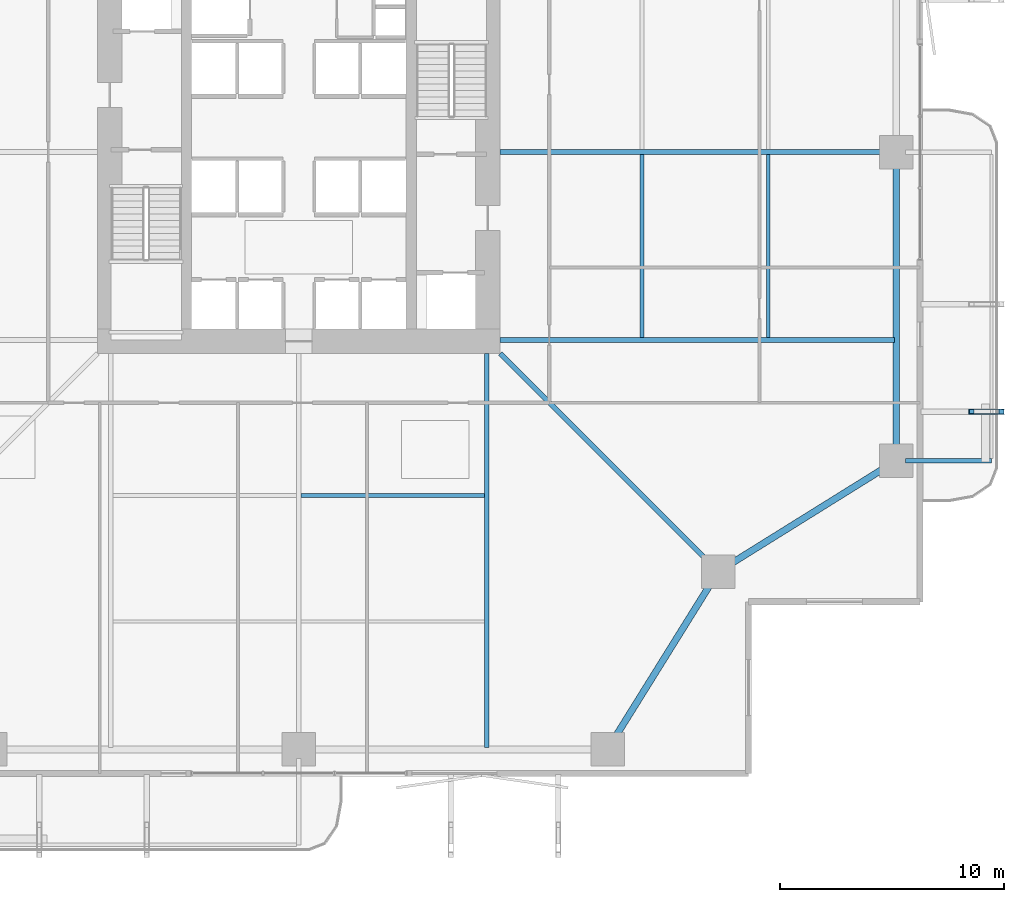
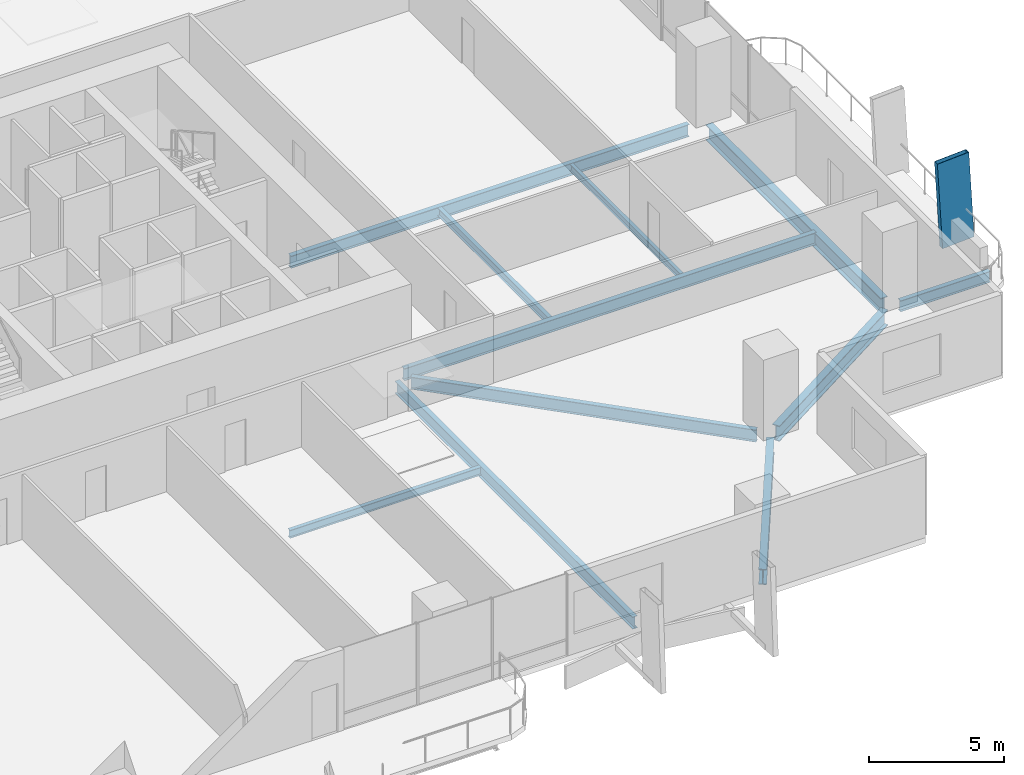
# One storey, part 7 of 23: 11 beams, 1 member.
"""IFC4 building model written with IfcOpenShell, lengths in metres."""

from ifc_helpers import new_model, si_unit, direction, frame, origin, origin_2d, place, context, subcontext, project, spatial, hollow_rectangle, i_section, extrude, material, material_profile, profile_set, type_object, element, save


model = new_model("IFC4")

# Units and contexts
model_context = context("Model", 3, precision=1e-05, world=origin(), true_north=direction((0.0, 1.0)))
body_context = subcontext(model_context, "Body", "Model", "MODEL_VIEW")
ifc_project = project(units=[si_unit("LENGTHUNIT", "METRE"), si_unit("AREAUNIT", "SQUARE_METRE"), si_unit("VOLUMEUNIT", "CUBIC_METRE"), si_unit("PLANEANGLEUNIT", "RADIAN"), si_unit("MASSUNIT", "GRAM", prefix="KILO")], contexts=[model_context])

# Site, building, storey
site_placement = place(None, origin())
site = spatial("IfcSite", under=ifc_project, at=site_placement, CompositionType="ELEMENT")
building_placement = place(site_placement, origin())
building = spatial("IfcBuilding", under=site, at=building_placement, Name="Belovzor Exchange Tower", CompositionType="ELEMENT")
storey_placement = place(building_placement, frame((0.0, 0.0, 41.699951171875)))
storey = spatial("IfcBuildingStorey", under=building, at=storey_placement, Name="L09", CompositionType="ELEMENT", Elevation=41.699951171875)

# Member
ifc_material_1 = material(Name="Extruded Architectural Terracotta on Steel S355 Carrier", Category="masonry")
ifc_material_profile_1 = material_profile(ifc_material_1, hollow_rectangle(XDim=0.219970703125, YDim=1.35009765625, WallThickness=0.013916015625, at=origin_2d()))
ifc_profile_set_1 = profile_set([ifc_material_profile_1], Name="Extruded Architectural Terracotta on Steel S355 Carrier")
member_type = type_object("IfcMemberType", Name="Base Arc Sweeping Terracotta Pylon Fin 1450", PredefinedType="USERDEFINED", material=ifc_profile_set_1)
member_placement = place(storey_placement, frame((59.64599609375, 17.199951171875, -0.25), z_axis=(-0.057619293609, 0.0, 0.998338628424), x_axis=(0.0, -1.0, 0.0)))
element("IfcMember", 1, at=member_placement, inside=storey, type_object=member_type, Name="FIN-TC145 Terracotta Facade Fin L09 E1", ObjectType="FIN", PredefinedType="USERDEFINED", context=body_context, shape_type="SweptSolid", body=[
    extrude(hollow_rectangle(XDim=0.219970703125, YDim=1.35009765625, WallThickness=0.013916015625, at=origin_2d()), origin(), (0.0, 0.0, 1.0), 3.90673828125),
])

# Beams
ifc_material_2 = material(Name="Steel S355", Category="steel")
ifc_material_profile_2 = material_profile(ifc_material_2, i_section(OverallWidth=0.199951171875, OverallDepth=0.5, WebThickness=0.01025390625, FlangeThickness=0.01611328125, at=origin_2d()))
ifc_profile_set_2 = profile_set([ifc_material_profile_2], Name="Steel S355")
beam_type_1 = type_object("IfcBeamType", Name="Planted Balcony Cantilever Beam IPE 500", PredefinedType="BEAM", material=ifc_profile_set_2)
beam_1_placement = place(storey_placement, frame((55.9130859375, 15.0, -0.5), z_axis=(1.0, 0.0, 0.0), x_axis=(0.0, 1.0, 0.0)))
element("IfcBeam", 2, at=beam_1_placement, inside=storey, type_object=beam_type_1, Name="BC-500 Planted Balcony Cantilever Beam IPE 500", PredefinedType="BEAM", context=body_context, shape_type="SweptSolid", body=[
    extrude(i_section(OverallWidth=0.199951171875, OverallDepth=0.5, WebThickness=0.01025390625, FlangeThickness=0.01611328125, at=origin_2d()), origin(), (0.0, 0.0, 1.0), 3.849853515625),
])
ifc_material_3 = material(Name="Steel S355", Category="steel")
ifc_material_profile_3 = material_profile(ifc_material_3, i_section(OverallWidth=0.169921875, OverallDepth=0.360107421875, WebThickness=0.008056640625, FlangeThickness=0.0126953125, at=origin_2d()))
ifc_profile_set_3 = profile_set([ifc_material_profile_3], Name="Steel S355")
beam_type_2 = type_object("IfcBeamType", Name="Secondary Infill Floor Joist IPE 360", PredefinedType="BEAM", material=ifc_profile_set_3)
beam_2_placement = place(storey_placement, frame((28.905029296875, 13.455078125, -0.429931640625), z_axis=(1.0, 0.0, 0.0), x_axis=(0.0, 1.0, 0.0)))
element("IfcBeam", 3, at=beam_2_placement, inside=storey, type_object=beam_type_2, Name="FJ-360 Secondary Infill Floor Joist IPE 360", PredefinedType="BEAM", context=body_context, shape_type="SweptSolid", body=[
    extrude(i_section(OverallWidth=0.169921875, OverallDepth=0.360107421875, WebThickness=0.008056640625, FlangeThickness=0.0126953125, at=origin_2d()), origin(), (0.0, 0.0, 1.0), 8.18994140625),
])
beam_3_placement = place(storey_placement, frame((44.14501953125, 20.5048828125, -0.429931640625), z_axis=(0.0, 1.0, 0.0), x_axis=(-1.0, 0.0, 0.0)))
element("IfcBeam", 4, at=beam_3_placement, inside=storey, type_object=beam_type_2, Name="FJ-360 Secondary Infill Floor Joist IPE 360", PredefinedType="BEAM", context=body_context, shape_type="SweptSolid", body=[
    extrude(i_section(OverallWidth=0.169921875, OverallDepth=0.360107421875, WebThickness=0.008056640625, FlangeThickness=0.0126953125, at=origin_2d()), origin(), (0.0, 0.0, 1.0), 8.190185546875),
])
ifc_material_4 = material(Name="Steel S355", Category="steel")
ifc_material_profile_4 = material_profile(ifc_material_4, i_section(OverallWidth=0.14990234375, OverallDepth=0.300048828125, WebThickness=0.007080078125, FlangeThickness=0.0107421875, at=origin_2d()))
ifc_profile_set_4 = profile_set([ifc_material_profile_4], Name="Steel S355")
beam_type_3 = type_object("IfcBeamType", Name="Secondary Trim Floor Joist IPE 300", PredefinedType="BEAM", material=ifc_profile_set_4)
beam_4_placement = place(storey_placement, frame((49.784912109375, 20.5048828125, -0.39990234375), z_axis=(0.0, 1.0, 0.0), x_axis=(-1.0, 0.0, 0.0)))
element("IfcBeam", 5, at=beam_4_placement, inside=storey, type_object=beam_type_3, Name="FJ-300 Secondary Trim Floor Joist IPE 300", PredefinedType="BEAM", context=body_context, shape_type="SweptSolid", body=[
    extrude(i_section(OverallWidth=0.14990234375, OverallDepth=0.300048828125, WebThickness=0.007080078125, FlangeThickness=0.0107421875, at=origin_2d()), origin(), (0.0, 0.0, 1.0), 8.190185546875),
])
ifc_material_5 = material(Name="Steel S355", Category="steel")
ifc_material_profile_5 = material_profile(ifc_material_5, i_section(OverallWidth=0.300048828125, OverallDepth=0.699951171875, WebThickness=0.01708984375, FlangeThickness=0.031982421875, at=origin_2d()))
ifc_profile_set_5 = profile_set([ifc_material_profile_5], Name="Steel S355")
beam_type_4 = type_object("IfcBeamType", Name="Zone 1 Primary Perimeter Girder HEB 700", PredefinedType="BEAM", material=ifc_profile_set_5)
for number, where, z_axis, x_axis, name in (
    (6, (42.818115234375, 2.449951171875, -0.599853515625), (0.528538629686, 0.848909251292, 0.0), (-0.848909251292, 0.528538629686, 0.0), "FG-Z1 Zone 1 Primary Perimeter Girder HEB 700"),
    (7, (47.89990234375, 10.26806640625, -0.599853515625), (0.848909251292, 0.528538629686, 0.0), (-0.528538629686, 0.848909251292, 0.0), "FG-Z1 Zone 1 Primary Perimeter Girder HEB 700"),
):
    element("IfcBeam", number, at=place(storey_placement, frame(where, z_axis=z_axis, x_axis=x_axis)), inside=storey, type_object=beam_type_4, Name=name, PredefinedType="BEAM", context=body_context, shape_type="SweptSolid", body=[
        extrude(i_section(OverallWidth=0.300048828125, OverallDepth=0.699951171875, WebThickness=0.01708984375, FlangeThickness=0.031982421875, at=origin_2d()), origin(), (0.0, 0.0, 1.0), 8.540283203125),
    ])
beam_5_placement = place(storey_placement, frame((55.5, 15.412109375, -0.599853515625), z_axis=(0.0, 1.0, 0.0), x_axis=(-1.0, 0.0, 0.0)))
element("IfcBeam", 8, at=beam_5_placement, inside=storey, type_object=beam_type_4, Name="FG-Z1 Zone 1 Primary Perimeter Girder HEB 700", PredefinedType="BEAM", context=body_context, shape_type="SweptSolid", body=[
    extrude(i_section(OverallWidth=0.300048828125, OverallDepth=0.699951171875, WebThickness=0.01708984375, FlangeThickness=0.031982421875, at=origin_2d()), origin(), (0.0, 0.0, 1.0), 12.974853515625),
])
ifc_material_6 = material(Name="Steel S355", Category="steel")
ifc_material_profile_6 = material_profile(ifc_material_6, i_section(OverallWidth=0.2099609375, OverallDepth=0.550048828125, WebThickness=0.010986328125, FlangeThickness=0.01708984375, at=origin_2d()))
ifc_profile_set_6 = profile_set([ifc_material_profile_6], Name="Steel S355")
beam_type_5 = type_object("IfcBeamType", Name="Zone 1 Radial Composite Floor Beam IPE 550", PredefinedType="BEAM", material=ifc_profile_set_6)
for number, where, z_axis, x_axis, name in (
    (9, (37.199951171875, 19.800048828125, -0.52490234375), (0.0, -1.0, 0.0), (1.0, 0.0, 0.0), "FB-550 Zone 1 Radial Composite Floor Beam IPE 550"),
    (10, (37.800048828125, 20.39990234375, -0.52490234375), (1.0, 0.0, 0.0), (0.0, 1.0, 0.0), "FB-550 Zone 1 Radial Composite Floor Beam IPE 550"),
):
    element("IfcBeam", number, at=place(storey_placement, frame(where, z_axis=z_axis, x_axis=x_axis)), inside=storey, type_object=beam_type_5, Name=name, PredefinedType="BEAM", context=body_context, shape_type="SweptSolid", body=[
        extrude(i_section(OverallWidth=0.2099609375, OverallDepth=0.550048828125, WebThickness=0.010986328125, FlangeThickness=0.01708984375, at=origin_2d()), origin(), (0.0, 0.0, 1.0), 17.625),
    ])
beam_6_placement = place(storey_placement, frame((37.800048828125, 28.800048828125, -0.52490234375), z_axis=(1.0, 0.0, 0.0), x_axis=(0.0, 1.0, 0.0)))
element("IfcBeam", 11, at=beam_6_placement, inside=storey, type_object=beam_type_5, Name="FB-550 Zone 1 Radial Composite Floor Beam IPE 550", PredefinedType="BEAM", context=body_context, shape_type="SweptSolid", body=[
    extrude(i_section(OverallWidth=0.2099609375, OverallDepth=0.550048828125, WebThickness=0.010986328125, FlangeThickness=0.01708984375, at=origin_2d()), origin(), (0.0, 0.0, 1.0), 17.0400390625),
])
beam_7_placement = place(storey_placement, frame((37.800048828125, 19.800048828125, -0.52490234375), z_axis=(0.707106781187, -0.707106781187, 0.0), x_axis=(0.707106781187, 0.707106781187, 0.0)))
element("IfcBeam", 12, at=beam_7_placement, inside=storey, type_object=beam_type_5, Name="FB-550 Zone 1 Radial Composite Floor Beam IPE 550", PredefinedType="BEAM", context=body_context, shape_type="SweptSolid", body=[
    extrude(i_section(OverallWidth=0.2099609375, OverallDepth=0.550048828125, WebThickness=0.010986328125, FlangeThickness=0.01708984375, at=origin_2d()), origin(), (0.0, 0.0, 1.0), 13.25830078125),
])

save(model, "model.ifc")
